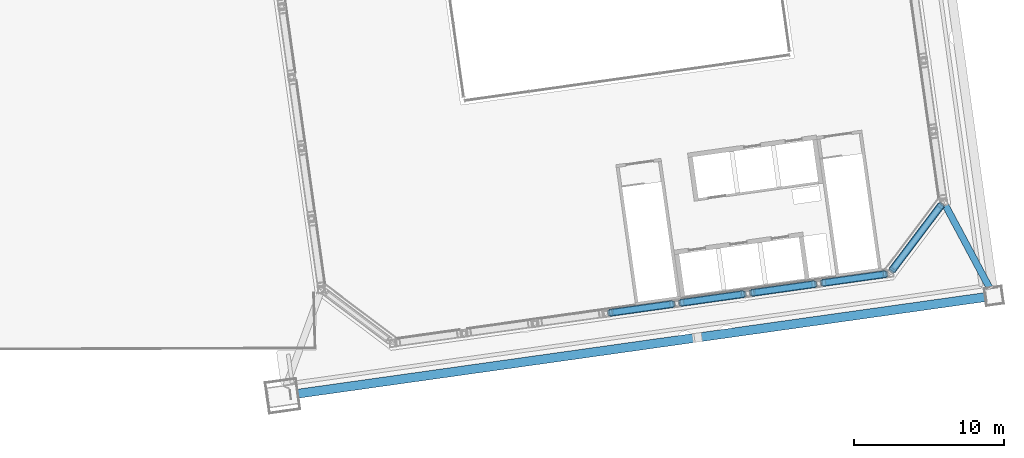
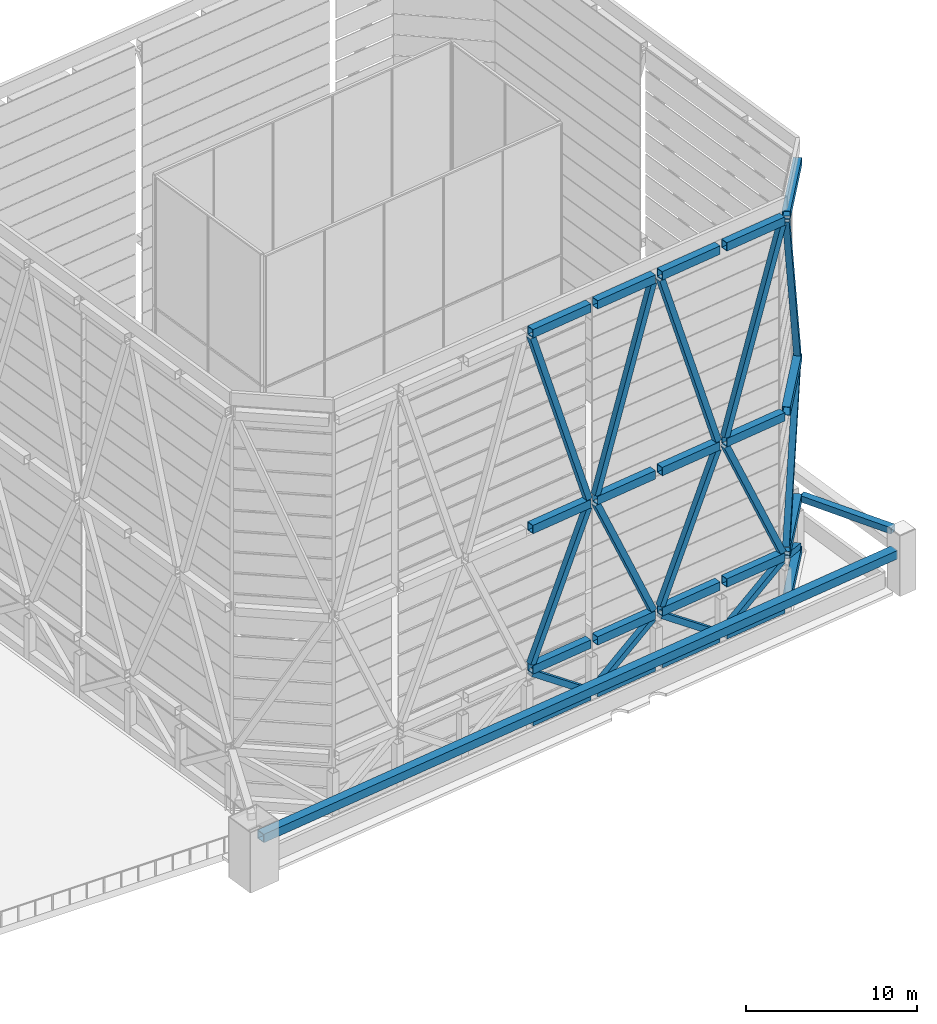
# One storey, part 12 of 45: 20 beams, 17 members.
"""IFC4 building model written with IfcOpenShell, lengths in metres."""

from ifc_helpers import new_model, si_unit, direction, frame, origin, origin_2d, place, context, subcontext, project, spatial, hollow_rectangle, extrude, material, material_profile, profile_set, type_object, element, save


model = new_model("IFC4")

# Units and contexts
model_context = context("Model", 3, precision=1e-05, world=origin(), true_north=direction((0.0, 1.0)))
body_context = subcontext(model_context, "Body", "Model", "MODEL_VIEW")
ifc_project = project(units=[si_unit("LENGTHUNIT", "METRE"), si_unit("AREAUNIT", "SQUARE_METRE"), si_unit("VOLUMEUNIT", "CUBIC_METRE"), si_unit("PLANEANGLEUNIT", "RADIAN"), si_unit("MASSUNIT", "GRAM", prefix="KILO")], contexts=[model_context])

# Site, building, storey
site_placement = place(None, origin())
site = spatial("IfcSite", under=ifc_project, at=site_placement, CompositionType="ELEMENT")
building_placement = place(site_placement, origin())
building = spatial("IfcBuilding", under=site, at=building_placement, Name="Mirante Cascada Hotel Towers", CompositionType="ELEMENT")
storey_placement = place(building_placement, frame((0.0, 0.0, 269.8)))
storey = spatial("IfcBuildingStorey", under=building, at=storey_placement, Name="Roof garden", CompositionType="ELEMENT", Elevation=269.8)

# Beams
ifc_material_1 = material(Name="Steel ASTM A572 Gr 50", Category="steel")
ifc_material_profile_1 = material_profile(ifc_material_1, hollow_rectangle(XDim=0.5, YDim=0.6, WallThickness=0.03, at=origin_2d()), Name="Box beam 600x500x30 ASTM A572 Gr 50")
ifc_profile_set_1 = profile_set([ifc_material_profile_1], Name="Steel ASTM A572 Gr 50")
beam_type = type_object("IfcBeamType", Name="Box beam 600x500x30 ASTM A572 Gr 50", PredefinedType="BEAM", material=ifc_profile_set_1)
beam_1_placement = place(storey_placement, frame((58.1332, -12.6789, 0.3), z_axis=(-0.6018021, -0.7986453, 0.0), x_axis=(0.7986453, -0.6018021, 0.0)))
element("IfcBeam", 1, at=beam_1_placement, inside=storey, type_object=beam_type, Name="CROWN FRAME ring beam T2 23", PredefinedType="BEAM", context=body_context, shape_type="SweptSolid", body=[
    extrude(hollow_rectangle(XDim=0.5, YDim=0.6, WallThickness=0.03, at=origin_2d()), origin(), (0.0, 0.0, 1.0), 5.4912),
])
for number, where, z_axis, x_axis, name in (
    (2, (54.4305, -17.2988, 0.3), (-0.9902679, -0.1391744, 0.0), (0.1391744, -0.9902679, 0.0), "CROWN FRAME ring beam T2 24"),
    (3, (49.6896, -17.9651, 0.3), (-0.9902679, -0.1391744, 0.0), (0.1391744, -0.9902679, 0.0), "CROWN FRAME ring beam T2 25"),
    (4, (44.9487, -18.6314, 0.3), (-0.9902679, -0.1391744, 0.0), (0.1391744, -0.9902679, 0.0), "CROWN FRAME ring beam T2 26"),
):
    element("IfcBeam", number, at=place(storey_placement, frame(where, z_axis=z_axis, x_axis=x_axis)), inside=storey, type_object=beam_type, Name=name, PredefinedType="BEAM", context=body_context, shape_type="SweptSolid", body=[
        extrude(hollow_rectangle(XDim=0.5, YDim=0.6, WallThickness=0.03, at=origin_2d()), origin(), (0.0, 0.0, 1.0), 4.2874),
    ])
beam_2_placement = place(storey_placement, frame((40.2079, -19.2977, 0.3), z_axis=(-0.9902683, -0.1391712, 0.0), x_axis=(0.1391712, -0.9902683, 0.0)))
element("IfcBeam", 5, at=beam_2_placement, inside=storey, type_object=beam_type, Name="CROWN FRAME ring beam T2 27", PredefinedType="BEAM", context=body_context, shape_type="SweptSolid", body=[
    extrude(hollow_rectangle(XDim=0.5, YDim=0.6, WallThickness=0.03, at=origin_2d()), origin(), (0.0, 0.0, 1.0), 4.2875),
])
beam_3_placement = place(storey_placement, frame((58.1332, -12.6789, 4.0), z_axis=(-0.6018021, -0.7986453, 0.0), x_axis=(0.7986453, -0.6018021, 0.0)))
element("IfcBeam", 6, at=beam_3_placement, inside=storey, type_object=beam_type, Name="CROWN FRAME ring beam T2 53", PredefinedType="BEAM", context=body_context, shape_type="SweptSolid", body=[
    extrude(hollow_rectangle(XDim=0.5, YDim=0.6, WallThickness=0.03, at=origin_2d()), origin(), (0.0, 0.0, 1.0), 5.4912),
])
for number, where, z_axis, x_axis, name in (
    (7, (54.4305, -17.2988, 4.0), (-0.9902679, -0.1391744, 0.0), (0.1391744, -0.9902679, 0.0), "CROWN FRAME ring beam T2 54"),
    (8, (49.6896, -17.9651, 4.0), (-0.9902679, -0.1391744, 0.0), (0.1391744, -0.9902679, 0.0), "CROWN FRAME ring beam T2 55"),
    (9, (44.9487, -18.6314, 4.0), (-0.9902679, -0.1391744, 0.0), (0.1391744, -0.9902679, 0.0), "CROWN FRAME ring beam T2 56"),
):
    element("IfcBeam", number, at=place(storey_placement, frame(where, z_axis=z_axis, x_axis=x_axis)), inside=storey, type_object=beam_type, Name=name, PredefinedType="BEAM", context=body_context, shape_type="SweptSolid", body=[
        extrude(hollow_rectangle(XDim=0.5, YDim=0.6, WallThickness=0.03, at=origin_2d()), origin(), (0.0, 0.0, 1.0), 4.2874),
    ])
beam_4_placement = place(storey_placement, frame((40.2079, -19.2977, 4.0), z_axis=(-0.9902683, -0.1391712, 0.0), x_axis=(0.1391712, -0.9902683, 0.0)))
element("IfcBeam", 10, at=beam_4_placement, inside=storey, type_object=beam_type, Name="CROWN FRAME ring beam T2 57", PredefinedType="BEAM", context=body_context, shape_type="SweptSolid", body=[
    extrude(hollow_rectangle(XDim=0.5, YDim=0.6, WallThickness=0.03, at=origin_2d()), origin(), (0.0, 0.0, 1.0), 4.2875),
])
beam_5_placement = place(storey_placement, frame((58.1332, -12.6789, 14.0), z_axis=(-0.6018021, -0.7986453, 0.0), x_axis=(0.7986453, -0.6018021, 0.0)))
element("IfcBeam", 11, at=beam_5_placement, inside=storey, type_object=beam_type, Name="CROWN FRAME ring beam T2 83", PredefinedType="BEAM", context=body_context, shape_type="SweptSolid", body=[
    extrude(hollow_rectangle(XDim=0.5, YDim=0.6, WallThickness=0.03, at=origin_2d()), origin(), (0.0, 0.0, 1.0), 5.4912),
])
for number, where, z_axis, x_axis, name in (
    (12, (54.4305, -17.2988, 14.0), (-0.9902679, -0.1391744, 0.0), (0.1391744, -0.9902679, 0.0), "CROWN FRAME ring beam T2 84"),
    (13, (49.6896, -17.9651, 14.0), (-0.9902679, -0.1391744, 0.0), (0.1391744, -0.9902679, 0.0), "CROWN FRAME ring beam T2 85"),
    (14, (44.9487, -18.6314, 14.0), (-0.9902679, -0.1391744, 0.0), (0.1391744, -0.9902679, 0.0), "CROWN FRAME ring beam T2 86"),
):
    element("IfcBeam", number, at=place(storey_placement, frame(where, z_axis=z_axis, x_axis=x_axis)), inside=storey, type_object=beam_type, Name=name, PredefinedType="BEAM", context=body_context, shape_type="SweptSolid", body=[
        extrude(hollow_rectangle(XDim=0.5, YDim=0.6, WallThickness=0.03, at=origin_2d()), origin(), (0.0, 0.0, 1.0), 4.2874),
    ])
beam_6_placement = place(storey_placement, frame((40.2079, -19.2977, 14.0), z_axis=(-0.9902683, -0.1391712, 0.0), x_axis=(0.1391712, -0.9902683, 0.0)))
element("IfcBeam", 15, at=beam_6_placement, inside=storey, type_object=beam_type, Name="CROWN FRAME ring beam T2 87", PredefinedType="BEAM", context=body_context, shape_type="SweptSolid", body=[
    extrude(hollow_rectangle(XDim=0.5, YDim=0.6, WallThickness=0.03, at=origin_2d()), origin(), (0.0, 0.0, 1.0), 4.2875),
])
beam_7_placement = place(storey_placement, frame((58.1332, -12.6789, 27.95), z_axis=(-0.6018021, -0.7986453, 0.0), x_axis=(0.7986453, -0.6018021, 0.0)))
element("IfcBeam", 16, at=beam_7_placement, inside=storey, type_object=beam_type, Name="CROWN FRAME ring beam T2 113", PredefinedType="BEAM", context=body_context, shape_type="SweptSolid", body=[
    extrude(hollow_rectangle(XDim=0.5, YDim=0.6, WallThickness=0.03, at=origin_2d()), origin(), (0.0, 0.0, 1.0), 5.4912),
])
for number, where, z_axis, x_axis, name in (
    (17, (54.4305, -17.2988, 27.95), (-0.9902679, -0.1391744, 0.0), (0.1391744, -0.9902679, 0.0), "CROWN FRAME ring beam T2 114"),
    (18, (49.6896, -17.9651, 27.95), (-0.9902679, -0.1391744, 0.0), (0.1391744, -0.9902679, 0.0), "CROWN FRAME ring beam T2 115"),
    (19, (44.9487, -18.6314, 27.95), (-0.9902679, -0.1391744, 0.0), (0.1391744, -0.9902679, 0.0), "CROWN FRAME ring beam T2 116"),
):
    element("IfcBeam", number, at=place(storey_placement, frame(where, z_axis=z_axis, x_axis=x_axis)), inside=storey, type_object=beam_type, Name=name, PredefinedType="BEAM", context=body_context, shape_type="SweptSolid", body=[
        extrude(hollow_rectangle(XDim=0.5, YDim=0.6, WallThickness=0.03, at=origin_2d()), origin(), (0.0, 0.0, 1.0), 4.2874),
    ])
beam_8_placement = place(storey_placement, frame((40.2079, -19.2977, 27.95), z_axis=(-0.9902683, -0.1391712, 0.0), x_axis=(0.1391712, -0.9902683, 0.0)))
element("IfcBeam", 20, at=beam_8_placement, inside=storey, type_object=beam_type, Name="CROWN FRAME ring beam T2 117", PredefinedType="BEAM", context=body_context, shape_type="SweptSolid", body=[
    extrude(hollow_rectangle(XDim=0.5, YDim=0.6, WallThickness=0.03, at=origin_2d()), origin(), (0.0, 0.0, 1.0), 4.2875),
])

# Members
ifc_material_2 = material(Name="Steel ASTM A572 Gr 50", Category="steel")
ifc_material_profile_2 = material_profile(ifc_material_2, hollow_rectangle(XDim=0.4, YDim=0.4, WallThickness=0.025, at=origin_2d()), Name="Box brace 400x400x25 ASTM A572 Gr 50")
ifc_profile_set_2 = profile_set([ifc_material_profile_2], Name="Steel ASTM A572 Gr 50")
member_type_1 = type_object("IfcMemberType", Name="Box brace 400x400x25 ASTM A572 Gr 50", PredefinedType="BRACE", material=ifc_profile_set_2)
member_1_placement = place(storey_placement, frame((58.1031, -12.7188, 0.6), z_axis=(-0.5217026, -0.6923446, 0.498483), x_axis=(0.7986446, -0.6018029, 0.0)))
element("IfcMember", 21, at=member_1_placement, inside=storey, type_object=member_type_1, Name="Hat truss diagonal T2 23", PredefinedType="BRACE", context=body_context, shape_type="SweptSolid", body=[
    extrude(hollow_rectangle(XDim=0.4, YDim=0.4, WallThickness=0.025, at=origin_2d()), origin(), (0.0, 0.0, 1.0), 6.2189),
])
for number, where, z_axis, x_axis, name in (
    (22, (50.2343, -17.8886, 0.6), (0.7959018, 0.1118604, 0.5950022), (-0.1391776, 0.9902674, 0.0), "Hat truss diagonal T2 24"),
    (23, (49.6401, -17.9721, 0.6), (-0.7959035, -0.1118415, 0.5950035), (0.1391542, -0.9902707, 0.0), "Hat truss diagonal T2 25"),
    (24, (40.7525, -19.2211, 0.6), (0.7959035, 0.1118415, 0.5950035), (-0.1391542, 0.9902707, 0.0), "Hat truss diagonal T2 26"),
    (25, (40.1583, -19.3046, 0.6), (-0.7959018, -0.1118604, 0.5950022), (0.1391776, -0.9902674, 0.0), "Hat truss diagonal T2 27"),
):
    element("IfcMember", number, at=place(storey_placement, frame(where, z_axis=z_axis, x_axis=x_axis)), inside=storey, type_object=member_type_1, Name=name, PredefinedType="BRACE", context=body_context, shape_type="SweptSolid", body=[
        extrude(hollow_rectangle(XDim=0.4, YDim=0.4, WallThickness=0.025, at=origin_2d()), origin(), (0.0, 0.0, 1.0), 5.2101),
    ])
member_2_placement = place(storey_placement, frame((54.8587, -17.0244, 4.3), z_axis=(0.2994025, 0.397333, 0.8674587), x_axis=(-0.7986446, 0.6018029, 0.0)))
element("IfcMember", 26, at=member_2_placement, inside=storey, type_object=member_type_1, Name="CROWN FRAME brace T2 53", PredefinedType="BRACE", context=body_context, shape_type="SweptSolid", body=[
    extrude(hollow_rectangle(XDim=0.4, YDim=0.4, WallThickness=0.025, at=origin_2d()), origin(), (0.0, 0.0, 1.0), 10.8363),
])
for number, where, z_axis, x_axis, name in (
    (27, (54.381, -17.3058, 4.3), (-0.4029632, -0.0566347, 0.9134622), (0.1391776, -0.9902674, 0.0), "CROWN FRAME brace T2 54"),
    (28, (45.4934, -18.5548, 4.3), (0.4029634, 0.056625, 0.9134627), (-0.1391542, 0.9902707, 0.0), "CROWN FRAME brace T2 55"),
    (29, (44.8992, -18.6384, 4.3), (-0.4029634, -0.056625, 0.9134627), (0.1391542, -0.9902707, 0.0), "CROWN FRAME brace T2 56"),
    (30, (36.0116, -19.8874, 4.3), (0.4029632, 0.0566347, 0.9134622), (-0.1391776, 0.9902674, 0.0), "CROWN FRAME brace T2 57"),
):
    element("IfcMember", number, at=place(storey_placement, frame(where, z_axis=z_axis, x_axis=x_axis)), inside=storey, type_object=member_type_1, Name=name, PredefinedType="BRACE", context=body_context, shape_type="SweptSolid", body=[
        extrude(hollow_rectangle(XDim=0.4, YDim=0.4, WallThickness=0.025, at=origin_2d()), origin(), (0.0, 0.0, 1.0), 10.2905),
    ])
member_3_placement = place(storey_placement, frame((58.1031, -12.7188, 14.3), z_axis=(-0.2253453, -0.2990528, 0.927247), x_axis=(0.7986446, -0.6018029, 0.0)))
element("IfcMember", 31, at=member_3_placement, inside=storey, type_object=member_type_1, Name="CROWN FRAME brace T2 83", PredefinedType="BRACE", context=body_context, shape_type="SweptSolid", body=[
    extrude(hollow_rectangle(XDim=0.4, YDim=0.4, WallThickness=0.025, at=origin_2d()), origin(), (0.0, 0.0, 1.0), 14.3975),
])
for number, where, z_axis, x_axis, name in (
    (32, (50.2343, -17.8886, 14.3), (0.2963764, 0.0416544, 0.9541624), (-0.1391776, 0.9902674, 0.0), "CROWN FRAME brace T2 84"),
    (33, (49.6401, -17.9721, 14.3), (-0.2963765, -0.0416472, 0.9541627), (0.1391542, -0.9902707, 0.0), "CROWN FRAME brace T2 85"),
    (34, (40.7525, -19.2211, 14.3), (0.2963765, 0.0416472, 0.9541627), (-0.1391542, 0.9902707, 0.0), "CROWN FRAME brace T2 86"),
    (35, (40.1583, -19.3046, 14.3), (-0.2963764, -0.0416544, 0.9541624), (0.1391776, -0.9902674, 0.0), "CROWN FRAME brace T2 87"),
):
    element("IfcMember", number, at=place(storey_placement, frame(where, z_axis=z_axis, x_axis=x_axis)), inside=storey, type_object=member_type_1, Name=name, PredefinedType="BRACE", context=body_context, shape_type="SweptSolid", body=[
        extrude(hollow_rectangle(XDim=0.4, YDim=0.4, WallThickness=0.025, at=origin_2d()), origin(), (0.0, 0.0, 1.0), 13.9913),
    ])
ifc_material_3 = material(Name="Steel ASTM A572 Gr 50", Category="steel")
ifc_material_profile_3 = material_profile(ifc_material_3, hollow_rectangle(XDim=0.6, YDim=0.6, WallThickness=0.04, at=origin_2d()), Name="Box chord 600x600x40 ASTM A572 Gr 50")
ifc_profile_set_3 = profile_set([ifc_material_profile_3], Name="Steel ASTM A572 Gr 50")
member_type_2 = type_object("IfcMemberType", Name="Box chord 600x600x40 ASTM A572 Gr 50", PredefinedType="CHORD", material=ifc_profile_set_3)
member_4_placement = place(storey_placement, frame((14.6324, -25.3662, 2.8), z_axis=(0.990268, 0.1391734, 0.0), x_axis=(-0.1391734, 0.990268, 0.0)))
element("IfcMember", 36, at=member_4_placement, inside=storey, type_object=member_type_2, Name="exochord T2 Roof garden 2", PredefinedType="CHORD", context=body_context, shape_type="SweptSolid", body=[
    extrude(hollow_rectangle(XDim=0.6, YDim=0.6, WallThickness=0.04, at=origin_2d()), origin(), (0.0, 0.0, 1.0), 46.94),
])
ifc_material_4 = material(Name="Steel ASTM A572 Gr 50", Category="steel")
ifc_material_profile_4 = material_profile(ifc_material_4, hollow_rectangle(XDim=0.45, YDim=0.45, WallThickness=0.03, at=origin_2d()), Name="Box tie 450x450x30 ASTM A572 Gr 50")
ifc_profile_set_4 = profile_set([ifc_material_profile_4], Name="Steel ASTM A572 Gr 50")
member_type_3 = type_object("IfcMemberType", Name="Box tie 450x450x30 ASTM A572 Gr 50", PredefinedType="STRUT", material=ifc_profile_set_4)
member_5_placement = place(storey_placement, frame((61.3643, -18.243, 4.0), z_axis=(-0.4713771, 0.8819318, 0.0), x_axis=(-0.8819318, -0.4713771, 0.0)))
element("IfcMember", 37, at=member_5_placement, inside=storey, type_object=member_type_3, Name="CROWN FRAME tie T2 4", PredefinedType="STRUT", context=body_context, shape_type="SweptSolid", body=[
    extrude(hollow_rectangle(XDim=0.45, YDim=0.45, WallThickness=0.03, at=origin_2d()), origin(), (0.0, 0.0, 1.0), 6.2691),
])

save(model, "model.ifc")
